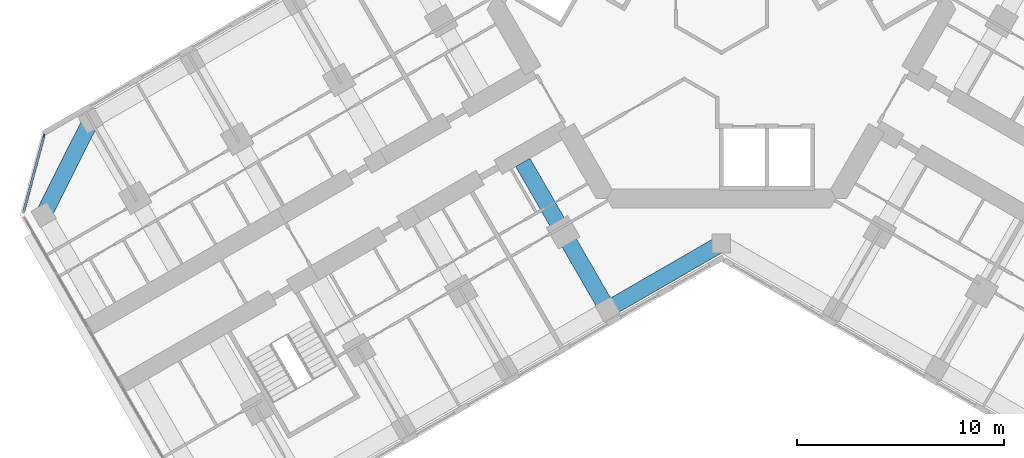
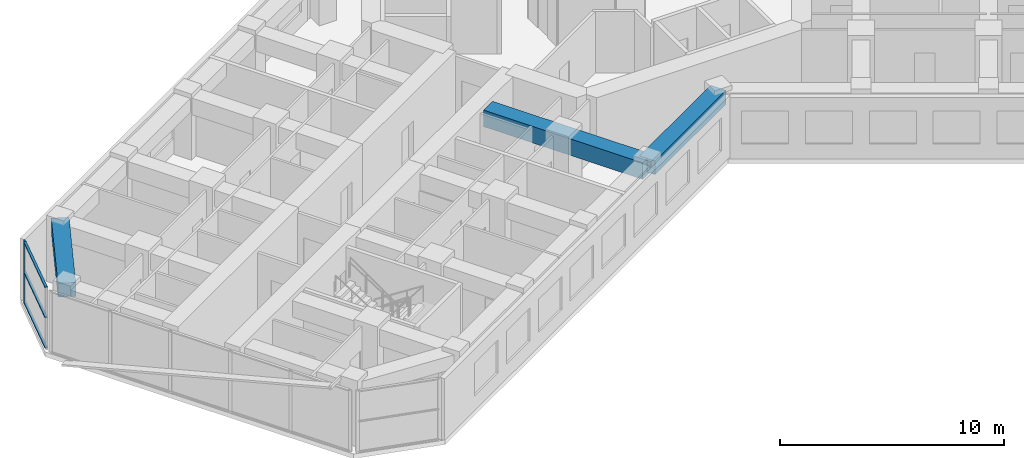
# One storey, part 3 of 19: 4 members, 3 beams, 1 element without a shape of its own.
"""IFC4 building model written with IfcOpenShell, lengths in metres."""

from ifc_helpers import new_model, si_unit, direction, frame, origin, origin_2d, place, context, subcontext, project, spatial, rectangle, extrude, material, material_profile, profile_set, type_object, element, aggregate, save


model = new_model("IFC4")

# Units and contexts
model_context = context("Model", 3, precision=1e-05, world=origin(), true_north=direction((0.0, 1.0)))
body_context = subcontext(model_context, "Body", "Model", "MODEL_VIEW")
ifc_project = project(units=[si_unit("LENGTHUNIT", "METRE"), si_unit("AREAUNIT", "SQUARE_METRE"), si_unit("VOLUMEUNIT", "CUBIC_METRE"), si_unit("PLANEANGLEUNIT", "RADIAN"), si_unit("MASSUNIT", "GRAM", prefix="KILO")], contexts=[model_context])

# Site, building, storey
site_placement = place(None, origin())
site = spatial("IfcSite", under=ifc_project, at=site_placement, CompositionType="ELEMENT")
building_placement = place(site_placement, origin())
building = spatial("IfcBuilding", under=site, at=building_placement, Name="Kosmar Iwan School Tower", CompositionType="ELEMENT")
storey_placement = place(building_placement, frame((0.0, 0.0, 138.199951171875)))
storey = spatial("IfcBuildingStorey", under=building, at=storey_placement, Name="L34", CompositionType="ELEMENT", Elevation=138.199951171875)

# Curtain wall, member
ifc_material_1 = material(Name="Dark glass in black aluminium frame", Category="aluminium")
curtain_wall_type = type_object("IfcCurtainWallType", Name="Chamfer curtain wall dark glass", PredefinedType="USERDEFINED", material=ifc_material_1)
curtain_wall_placement = place(storey_placement, origin())
curtain_wall = element("IfcCurtainWall", 1, at=curtain_wall_placement, inside=storey, type_object=curtain_wall_type, Name="Curtain wall L34-F12", ObjectType="FACETED CURTAIN WALL", PredefinedType="USERDEFINED")
ifc_material_2 = material(Name="Black anodised aluminium", Category="aluminium")
ifc_material_profile_1 = material_profile(ifc_material_2, rectangle(XDim=0.06005859375, YDim=0.159912109375, at=origin_2d()), Name="MULLION 60x160")
ifc_profile_set_1 = profile_set([ifc_material_profile_1], Name="Black anodised aluminium")
member_type_1 = type_object("IfcMemberType", Name="Mullion 60x160", PredefinedType="MULLION", material=ifc_profile_set_1)
member_1_placement = place(storey_placement, frame((-32.78076171875, -6.5732421875, 0.0), z_axis=(0.0, 0.0, 1.0), x_axis=(0.965925875495, -0.258818861462, 0.0)))
member_1 = element("IfcMember", 2, at=member_1_placement, type_object=member_type_1, Name="CW2 mullion 1", PredefinedType="MULLION", context=body_context, shape_type="SweptSolid", body=[
    extrude(rectangle(XDim=0.06005859375, YDim=0.159912109375, at=origin_2d()), origin(), (0.0, 0.0, 1.0), 3.35009765625),
])

# Beams
ifc_material_3 = material(Name="Concrete C50/60", Category="concrete")
ifc_material_profile_2 = material_profile(ifc_material_3, rectangle(XDim=0.800048828125, YDim=0.75, at=origin_2d()), Name="RC 800x750")
ifc_profile_set_2 = profile_set([ifc_material_profile_2], Name="Concrete C50/60")
beam_type_1 = type_object("IfcBeamType", Name="RC edge beam 800x750", PredefinedType="BEAM", material=ifc_profile_set_2)
beam_1_placement = place(storey_placement, frame((0.0, -11.77783203125, 2.97509765625), z_axis=(-0.866014293216, -0.500019243575, 0.0), x_axis=(0.500019243575, -0.866014293216, 0.0)))
element("IfcBeam", 3, at=beam_1_placement, inside=storey, type_object=beam_type_1, Name="Edge beam BL1", PredefinedType="BEAM", context=body_context, shape_type="SweptSolid", body=[
    extrude(rectangle(XDim=0.800048828125, YDim=0.75, at=origin_2d()), origin(), (0.0, 0.0, 1.0), 6.361083984375),
])
ifc_material_4 = material(Name="Concrete C50/60", Category="concrete")
ifc_material_profile_3 = material_profile(ifc_material_4, rectangle(XDim=0.800048828125, YDim=0.75, at=origin_2d()), Name="RC 800x750")
ifc_profile_set_3 = profile_set([ifc_material_profile_3], Name="Concrete C50/60")
beam_type_2 = type_object("IfcBeamType", Name="RC tip beam 800x750", PredefinedType="BEAM", material=ifc_profile_set_3)
beam_2_placement = place(storey_placement, frame((-30.517822265625, -5.841552734375, 2.97509765625), z_axis=(-0.44809604203, -0.893985423325, 0.0), x_axis=(0.893985423325, -0.44809604203, 0.0)))
element("IfcBeam", 4, at=beam_2_placement, inside=storey, type_object=beam_type_2, Name="Tip beam BR", PredefinedType="BEAM", context=body_context, shape_type="SweptSolid", body=[
    extrude(rectangle(XDim=0.800048828125, YDim=0.75, at=origin_2d()), origin(), (0.0, 0.0, 1.0), 5.08935546875),
])
ifc_material_5 = material(Name="Concrete C50/60", Category="concrete")
ifc_material_profile_4 = material_profile(ifc_material_5, rectangle(XDim=0.800048828125, YDim=0.89990234375, at=origin_2d()), Name="RC 800x900")
ifc_profile_set_4 = profile_set([ifc_material_profile_4], Name="Concrete C50/60")
beam_type_3 = type_object("IfcBeamType", Name="RC transverse beam 800x900", PredefinedType="BEAM", material=ifc_profile_set_4)
beam_3_placement = place(storey_placement, frame((-5.5087890625, -14.95849609375, 2.900146484375), z_axis=(-0.500000789788, 0.8660249478, 0.0), x_axis=(-0.8660249478, -0.500000789788, 0.0)))
element("IfcBeam", 5, at=beam_3_placement, inside=storey, type_object=beam_type_3, Name="Transverse beam BL1", PredefinedType="BEAM", context=body_context, shape_type="SweptSolid", body=[
    extrude(rectangle(XDim=0.800048828125, YDim=0.89990234375, at=origin_2d()), origin(), (0.0, 0.0, 1.0), 8.2001953125),
])

# Member
ifc_material_6 = material(Name="Black anodised aluminium", Category="aluminium")
ifc_material_profile_5 = material_profile(ifc_material_6, rectangle(XDim=0.1201171875, YDim=0.06005859375, at=origin_2d()), Name="TRANSOM 60x120")
ifc_profile_set_5 = profile_set([ifc_material_profile_5], Name="Black anodised aluminium")
member_type_2 = type_object("IfcMemberType", Name="Transom 60x120", PredefinedType="USERDEFINED", material=ifc_profile_set_5)
member_2_placement = place(storey_placement, frame((-32.788330078125, -6.602294921875, 0.030029296875), z_axis=(-0.258843273983, -0.965919333854, 0.0), x_axis=(0.965919333854, -0.258843273983, 0.0)))
member_2 = element("IfcMember", 6, at=member_2_placement, type_object=member_type_2, Name="CW2 transom 1.1", ObjectType="TRANSOM", PredefinedType="USERDEFINED", context=body_context, shape_type="SweptSolid", body=[
    extrude(rectangle(XDim=0.1201171875, YDim=0.06005859375, at=origin_2d()), origin(), (0.0, 0.0, 1.0), 3.718994140625),
])

member_3_placement = place(storey_placement, frame((-32.788330078125, -6.602294921875, 1.675048828125), z_axis=(-0.258843273983, -0.965919333854, 0.0), x_axis=(0.965919333854, -0.258843273983, 0.0)))
member_3 = element("IfcMember", 7, at=member_3_placement, type_object=member_type_2, Name="CW2 transom 1.2", ObjectType="TRANSOM", PredefinedType="USERDEFINED", context=body_context, shape_type="SweptSolid", body=[
    extrude(rectangle(XDim=0.1201171875, YDim=0.06005859375, at=origin_2d()), origin(), (0.0, 0.0, 1.0), 3.718994140625),
])

member_4_placement = place(storey_placement, frame((-32.788330078125, -6.602294921875, 3.320068359375), z_axis=(-0.258843273983, -0.965919333854, 0.0), x_axis=(0.965919333854, -0.258843273983, 0.0)))
member_4 = element("IfcMember", 8, at=member_4_placement, type_object=member_type_2, Name="CW2 transom 1.3", ObjectType="TRANSOM", PredefinedType="USERDEFINED", context=body_context, shape_type="SweptSolid", body=[
    extrude(rectangle(XDim=0.1201171875, YDim=0.06005859375, at=origin_2d()), origin(), (0.0, 0.0, 1.0), 3.718994140625),
])

aggregate(curtain_wall, [member_1, member_2, member_3, member_4])

save(model, "model.ifc")
